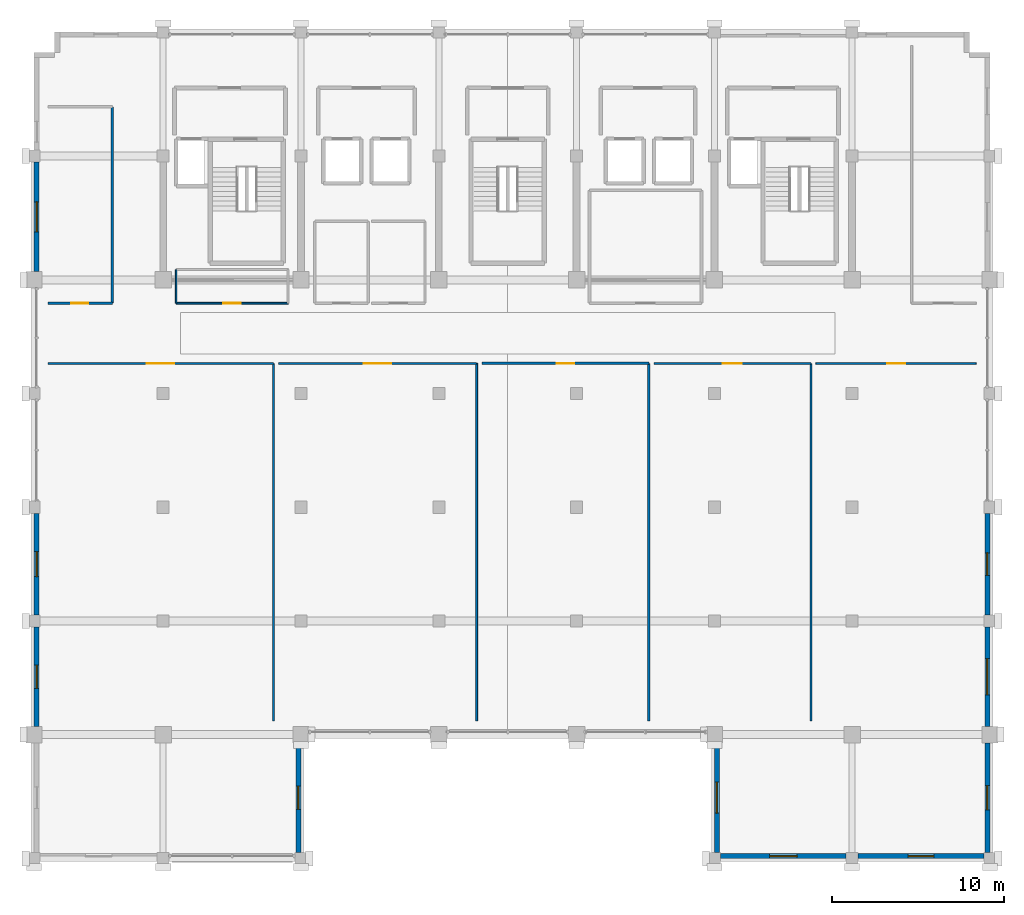
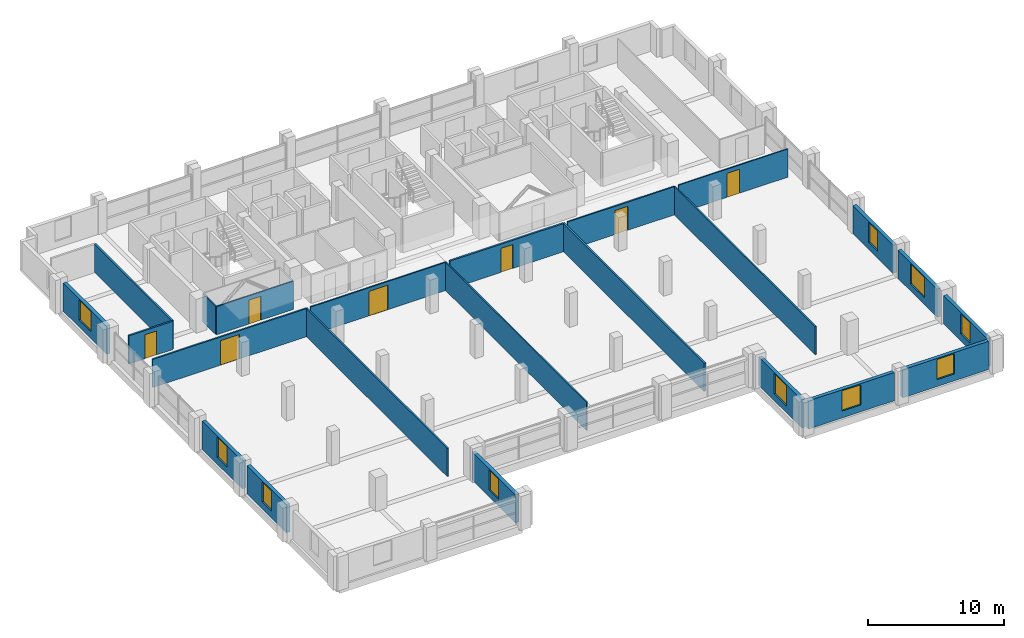
# One storey, part 21 of 25: 23 walls, 10 windows, 7 doors, 17 openings.
"""IFC4 building model written with IfcOpenShell, lengths in metres."""

from ifc_helpers import new_model, si_unit, direction, frame, frame_2d, origin, place, context, subcontext, project, spatial, rectangle, extrude, material, layer, layer_set, type_object, element, fill, save


model = new_model("IFC4")

# Units and contexts
model_context = context("Model", 3, precision=1e-05, world=origin(), true_north=direction((0.0, 1.0)))
body_context = subcontext(model_context, "Body", "Model", "MODEL_VIEW")
ifc_project = project(units=[si_unit("LENGTHUNIT", "METRE"), si_unit("AREAUNIT", "SQUARE_METRE"), si_unit("VOLUMEUNIT", "CUBIC_METRE"), si_unit("PLANEANGLEUNIT", "RADIAN"), si_unit("MASSUNIT", "GRAM", prefix="KILO")], contexts=[model_context])

# Site, building, storey
site_placement = place(None, origin())
site = spatial("IfcSite", under=ifc_project, at=site_placement, CompositionType="ELEMENT")
building_placement = place(site_placement, origin())
building = spatial("IfcBuilding", under=site, at=building_placement, Name="Akrevak Sports Hall", CompositionType="ELEMENT")
storey_placement = place(building_placement, frame((0.0, 0.0, 50.300048828125)))
storey = spatial("IfcBuildingStorey", under=building, at=storey_placement, Name="L12", CompositionType="ELEMENT", Elevation=50.300048828125)

# Wall, opening, window
ifc_material_1 = material(Name="Limestone Ashlar", Category="stone")
ifc_layer_1 = layer(ifc_material_1, 0.06005859375, Name="Limestone Ashlar")
ifc_material_2 = material(Name="Mineral Wool Thermal Insulation", Category="insulation")
ifc_layer_2 = layer(ifc_material_2, 0.090087890625, Name="Mineral Wool Thermal Insulation")
ifc_material_3 = material(Name="Concrete C40/50", Category="concrete")
ifc_layer_3 = layer(ifc_material_3, 0.14990234375, Name="Concrete C40/50")
ifc_layer_set_1 = layer_set([ifc_layer_1, ifc_layer_2, ifc_layer_3], Name="Limestone Ashlar / Mineral Wool Thermal Insulation / Concrete C40/50")
wall_type_1 = type_object("IfcWallType", Name="ARC-WL-EXT-300", PredefinedType="SOLIDWALL", material=ifc_layer_set_1)
wall_1_placement = place(storey_placement, frame((67.85009765625, 21.949951171875, 0.0), z_axis=(0.0, 0.0, 1.0), x_axis=(0.0, 1.0, 0.0)))
wall_1 = element("IfcWall", 1, at=wall_1_placement, inside=storey, type_object=wall_type_1, Name="Tower Stone Facade Wall L12-E03", PredefinedType="SOLIDWALL", context=body_context, shape_type="SweptSolid", body=[
    extrude(rectangle(XDim=6.375, YDim=0.300048828125, at=frame_2d((3.1875, 0.0))), origin(), (0.0, 0.0, 1.0), 2.530029296875),
])
opening_1_placement = place(wall_1_placement, frame((2.512451171875, 0.0, 0.6201171875)))
opening_1 = element("IfcOpeningElement", 2, at=opening_1_placement, cuts=wall_1, Name="Opening WN-19", PredefinedType="OPENING", context=body_context, shape_type="SweptSolid", body=[
    extrude(rectangle(XDim=1.35009765625, YDim=1.800048828125, at=frame_2d((0.675048828125, 0.89990234375))), frame((0.0, 0.162109375, 0.0), z_axis=(0.0, -1.0, 0.0), x_axis=(1.0, 0.0, 0.0)), (0.0, 0.0, 1.0), 0.323974609375),
])
ifc_material_4 = material(Name="Thermally Broken Bronze Frame & Double Low-E Glass", Category="glass")
window_type_1 = type_object("IfcWindowType", Name="ARC-WIN-TW-135x180", PartitioningType="SINGLE_PANEL", PredefinedType="WINDOW", material=ifc_material_4)
window_1_placement = place(opening_1_placement, origin())
window_1 = element("IfcWindow", 3, at=window_1_placement, inside=storey, type_object=window_type_1, Name="Tower Window L12-E03", OverallHeight=1.800048828125, OverallWidth=1.35009765625, PartitioningType="SINGLE_PANEL", PredefinedType="WINDOW", context=body_context, shape_type="SweptSolid", body=[
    extrude(rectangle(XDim=1.35009765625, YDim=1.800048828125, at=frame_2d((0.675048828125, 0.89990234375))), frame((0.0, 0.030029296875, 0.0), z_axis=(0.0, -1.0, 0.0), x_axis=(1.0, 0.0, 0.0)), (0.0, 0.0, 1.0), 0.06005859375),
])
fill(opening_1, window_1)

wall_2_placement = place(storey_placement, frame((92.14990234375, 28.324951171875, 0.0), z_axis=(0.0, 0.0, 1.0), x_axis=(0.0, -1.0, 0.0)))
wall_2 = element("IfcWall", 4, at=wall_2_placement, inside=storey, type_object=wall_type_1, Name="Tower Stone Facade Wall L12-W07", PredefinedType="SOLIDWALL", context=body_context, shape_type="SweptSolid", body=[
    extrude(rectangle(XDim=6.375, YDim=0.300048828125, at=frame_2d((3.1875, 0.0))), origin(), (0.0, 0.0, 1.0), 2.530029296875),
])
opening_2_placement = place(wall_2_placement, frame((2.28759765625, 0.0, 0.6201171875)))
opening_2 = element("IfcOpeningElement", 5, at=opening_2_placement, cuts=wall_2, Name="Opening WN-54", PredefinedType="OPENING", context=body_context, shape_type="SweptSolid", body=[
    extrude(rectangle(XDim=1.800048828125, YDim=1.81005859375, at=frame_2d((0.89990234375, 0.905029296875))), frame((0.0, 0.162109375, 0.0), z_axis=(0.0, -1.0, 0.0), x_axis=(1.0, 0.0, 0.0)), (0.0, 0.0, 1.0), 0.323974609375),
])
window_type_2 = type_object("IfcWindowType", Name="ARC-WIN-SZ-1800x1810", PartitioningType="SINGLE_PANEL", PredefinedType="WINDOW", material=ifc_material_4)
window_2_placement = place(opening_2_placement, origin())
window_2 = element("IfcWindow", 6, at=window_2_placement, inside=storey, type_object=window_type_2, Name="Tower Window L12-W07", OverallHeight=1.81005859375, OverallWidth=1.800048828125, PartitioningType="SINGLE_PANEL", PredefinedType="WINDOW", context=body_context, shape_type="SweptSolid", body=[
    extrude(rectangle(XDim=1.800048828125, YDim=1.81005859375, at=frame_2d((0.89990234375, 0.905029296875))), frame((0.0, 0.030029296875, 0.0), z_axis=(0.0, -1.0, 0.0), x_axis=(1.0, 0.0, 0.0)), (0.0, 0.0, 1.0), 0.06005859375),
])
fill(opening_2, window_2)

wall_3_placement = place(storey_placement, frame((92.35009765625, 21.75, 0.0), z_axis=(0.0, 0.0, 1.0), x_axis=(1.0, 0.0, 0.0)))
wall_3 = element("IfcWall", 7, at=wall_3_placement, inside=storey, type_object=wall_type_1, Name="Tower Stone Facade Wall L12-S08", PredefinedType="SOLIDWALL", context=body_context, shape_type="SweptSolid", body=[
    extrude(rectangle(XDim=7.2998046875, YDim=0.300048828125, at=frame_2d((3.64990234375, 0.0))), origin(), (0.0, 0.0, 1.0), 2.530029296875),
])
opening_3_placement = place(wall_3_placement, frame((2.85009765625, 0.0, 0.6201171875)))
opening_3 = element("IfcOpeningElement", 8, at=opening_3_placement, cuts=wall_3, Name="Opening WN-57", PredefinedType="OPENING", context=body_context, shape_type="SweptSolid", body=[
    extrude(rectangle(XDim=1.60009765625, YDim=1.81005859375, at=frame_2d((0.800048828125, 0.905029296875))), frame((0.0, 0.162109375, 0.0), z_axis=(0.0, -1.0, 0.0), x_axis=(1.0, 0.0, 0.0)), (0.0, 0.0, 1.0), 0.323974609375),
])
window_type_3 = type_object("IfcWindowType", Name="ARC-WIN-SZ-1600x1810", PartitioningType="SINGLE_PANEL", PredefinedType="WINDOW", material=ifc_material_4)
window_3_placement = place(opening_3_placement, origin())
window_3 = element("IfcWindow", 9, at=window_3_placement, inside=storey, type_object=window_type_3, Name="Tower Window L12-S08", OverallHeight=1.81005859375, OverallWidth=1.60009765625, PartitioningType="SINGLE_PANEL", PredefinedType="WINDOW", context=body_context, shape_type="SweptSolid", body=[
    extrude(rectangle(XDim=1.60009765625, YDim=1.81005859375, at=frame_2d((0.800048828125, 0.905029296875))), frame((0.0, 0.030029296875, 0.0), z_axis=(0.0, -1.0, 0.0), x_axis=(1.0, 0.0, 0.0)), (0.0, 0.0, 1.0), 0.06005859375),
])
fill(opening_3, window_3)

wall_4_placement = place(storey_placement, frame((100.35009765625, 21.75, 0.0), z_axis=(0.0, 0.0, 1.0), x_axis=(1.0, 0.0, 0.0)))
wall_4 = element("IfcWall", 10, at=wall_4_placement, inside=storey, type_object=wall_type_1, Name="Tower Stone Facade Wall L12-S09", PredefinedType="SOLIDWALL", context=body_context, shape_type="SweptSolid", body=[
    extrude(rectangle(XDim=7.2998046875, YDim=0.300048828125, at=frame_2d((3.64990234375, 0.0))), origin(), (0.0, 0.0, 1.0), 2.530029296875),
])
opening_4_placement = place(wall_4_placement, frame((2.89990234375, 0.0, 0.6201171875)))
opening_4 = element("IfcOpeningElement", 11, at=opening_4_placement, cuts=wall_4, Name="Opening WN-48", PredefinedType="OPENING", context=body_context, shape_type="SweptSolid", body=[
    extrude(rectangle(XDim=1.5, YDim=1.81005859375, at=frame_2d((0.75, 0.905029296875))), frame((0.0, 0.162109375, 0.0), z_axis=(0.0, -1.0, 0.0), x_axis=(1.0, 0.0, 0.0)), (0.0, 0.0, 1.0), 0.323974609375),
])
window_type_4 = type_object("IfcWindowType", Name="ARC-WIN-SZ-1500x1810", PartitioningType="SINGLE_PANEL", PredefinedType="WINDOW", material=ifc_material_4)
window_4_placement = place(opening_4_placement, origin())
window_4 = element("IfcWindow", 12, at=window_4_placement, inside=storey, type_object=window_type_4, Name="Tower Window L12-S09", OverallHeight=1.81005859375, OverallWidth=1.5, PartitioningType="SINGLE_PANEL", PredefinedType="WINDOW", context=body_context, shape_type="SweptSolid", body=[
    extrude(rectangle(XDim=1.5, YDim=1.81005859375, at=frame_2d((0.75, 0.905029296875))), frame((0.0, 0.030029296875, 0.0), z_axis=(0.0, -1.0, 0.0), x_axis=(1.0, 0.0, 0.0)), (0.0, 0.0, 1.0), 0.06005859375),
])
fill(opening_4, window_4)

wall_5_placement = place(storey_placement, frame((107.85009765625, 21.949951171875, 0.0), z_axis=(0.0, 0.0, 1.0), x_axis=(0.0, 1.0, 0.0)))
wall_5 = element("IfcWall", 13, at=wall_5_placement, inside=storey, type_object=wall_type_1, Name="Tower Stone Facade Wall L12-E10", PredefinedType="SOLIDWALL", context=body_context, shape_type="SweptSolid", body=[
    extrude(rectangle(XDim=6.375, YDim=0.300048828125, at=frame_2d((3.1875, 0.0))), origin(), (0.0, 0.0, 1.0), 2.530029296875),
])
opening_5_placement = place(wall_5_placement, frame((2.487548828125, 0.0, 0.6201171875)))
opening_5 = element("IfcOpeningElement", 14, at=opening_5_placement, cuts=wall_5, Name="Opening WN-49", PredefinedType="OPENING", context=body_context, shape_type="SweptSolid", body=[
    extrude(rectangle(XDim=1.39990234375, YDim=1.81005859375, at=frame_2d((0.699951171875, 0.905029296875))), frame((0.0, 0.162109375, 0.0), z_axis=(0.0, -1.0, 0.0), x_axis=(1.0, 0.0, 0.0)), (0.0, 0.0, 1.0), 0.323974609375),
])
window_type_5 = type_object("IfcWindowType", Name="ARC-WIN-SZ-1400x1810", PartitioningType="SINGLE_PANEL", PredefinedType="WINDOW", material=ifc_material_4)
window_5_placement = place(opening_5_placement, origin())
window_5 = element("IfcWindow", 15, at=window_5_placement, inside=storey, type_object=window_type_5, Name="Tower Window L12-E10", OverallHeight=1.81005859375, OverallWidth=1.39990234375, PartitioningType="SINGLE_PANEL", PredefinedType="WINDOW", context=body_context, shape_type="SweptSolid", body=[
    extrude(rectangle(XDim=1.39990234375, YDim=1.81005859375, at=frame_2d((0.699951171875, 0.905029296875))), frame((0.0, 0.030029296875, 0.0), z_axis=(0.0, -1.0, 0.0), x_axis=(1.0, 0.0, 0.0)), (0.0, 0.0, 1.0), 0.06005859375),
])
fill(opening_5, window_5)

wall_6_placement = place(storey_placement, frame((107.85009765625, 29.27490234375, 0.0), z_axis=(0.0, 0.0, 1.0), x_axis=(0.0, 1.0, 0.0)))
wall_6 = element("IfcWall", 16, at=wall_6_placement, inside=storey, type_object=wall_type_1, Name="Tower Stone Facade Wall L12-E11", PredefinedType="SOLIDWALL", context=body_context, shape_type="SweptSolid", body=[
    extrude(rectangle(XDim=5.775146484375, YDim=0.300048828125, at=frame_2d((2.8876953125, 0.0))), origin(), (0.0, 0.0, 1.0), 2.530029296875),
])
opening_6_placement = place(wall_6_placement, frame((1.83740234375, 0.0, 0.6201171875)))
opening_6 = element("IfcOpeningElement", 17, at=opening_6_placement, cuts=wall_6, Name="Opening WN-55", PredefinedType="OPENING", context=body_context, shape_type="SweptSolid", body=[
    extrude(rectangle(XDim=2.10009765625, YDim=1.81005859375, at=frame_2d((1.050048828125, 0.905029296875))), frame((0.0, 0.162109375, 0.0), z_axis=(0.0, -1.0, 0.0), x_axis=(1.0, 0.0, 0.0)), (0.0, 0.0, 1.0), 0.323974609375),
])
window_type_6 = type_object("IfcWindowType", Name="ARC-WIN-SZ-2100x1810", PartitioningType="SINGLE_PANEL", PredefinedType="WINDOW", material=ifc_material_4)
window_6_placement = place(opening_6_placement, origin())
window_6 = element("IfcWindow", 18, at=window_6_placement, inside=storey, type_object=window_type_6, Name="Tower Window L12-E11", OverallHeight=1.81005859375, OverallWidth=2.10009765625, PartitioningType="SINGLE_PANEL", PredefinedType="WINDOW", context=body_context, shape_type="SweptSolid", body=[
    extrude(rectangle(XDim=2.10009765625, YDim=1.81005859375, at=frame_2d((1.050048828125, 0.905029296875))), frame((0.0, 0.030029296875, 0.0), z_axis=(0.0, -1.0, 0.0), x_axis=(1.0, 0.0, 0.0)), (0.0, 0.0, 1.0), 0.06005859375),
])
fill(opening_6, window_6)

wall_7_placement = place(storey_placement, frame((107.85009765625, 35.75, 0.0), z_axis=(0.0, 0.0, 1.0), x_axis=(0.0, 1.0, 0.0)))
wall_7 = element("IfcWall", 19, at=wall_7_placement, inside=storey, type_object=wall_type_1, Name="Tower Stone Facade Wall L12-E12", PredefinedType="SOLIDWALL", context=body_context, shape_type="SweptSolid", body=[
    extrude(rectangle(XDim=5.89990234375, YDim=0.300048828125, at=frame_2d((2.949951171875, 0.0))), origin(), (0.0, 0.0, 1.0), 2.530029296875),
])
opening_7_placement = place(wall_7_placement, frame((2.300048828125, 0.0, 0.6201171875)))
opening_7 = element("IfcOpeningElement", 20, at=opening_7_placement, cuts=wall_7, Name="Opening WN-12", PredefinedType="OPENING", context=body_context, shape_type="SweptSolid", body=[
    extrude(rectangle(XDim=1.300048828125, YDim=1.800048828125, at=frame_2d((0.64990234375, 0.89990234375))), frame((0.0, 0.162109375, 0.0), z_axis=(0.0, -1.0, 0.0), x_axis=(1.0, 0.0, 0.0)), (0.0, 0.0, 1.0), 0.323974609375),
])
window_type_7 = type_object("IfcWindowType", Name="ARC-WIN-TW-130x180", PartitioningType="SINGLE_PANEL", PredefinedType="WINDOW", material=ifc_material_4)
window_7_placement = place(opening_7_placement, origin())
window_7 = element("IfcWindow", 21, at=window_7_placement, inside=storey, type_object=window_type_7, Name="Tower Window L12-E12", OverallHeight=1.800048828125, OverallWidth=1.300048828125, PartitioningType="SINGLE_PANEL", PredefinedType="WINDOW", context=body_context, shape_type="SweptSolid", body=[
    extrude(rectangle(XDim=1.300048828125, YDim=1.800048828125, at=frame_2d((0.64990234375, 0.89990234375))), frame((0.0, 0.030029296875, 0.0), z_axis=(0.0, -1.0, 0.0), x_axis=(1.0, 0.0, 0.0)), (0.0, 0.0, 1.0), 0.06005859375),
])
fill(opening_7, window_7)

wall_8_placement = place(storey_placement, frame((52.64990234375, 62.050048828125, 0.0), z_axis=(0.0, 0.0, 1.0), x_axis=(0.0, -1.0, 0.0)))
wall_8 = element("IfcWall", 22, at=wall_8_placement, inside=storey, type_object=wall_type_1, Name="Tower Stone Facade Wall L12-W29", PredefinedType="SOLIDWALL", context=body_context, shape_type="SweptSolid", body=[
    extrude(rectangle(XDim=6.375, YDim=0.300048828125, at=frame_2d((3.1875, 0.0))), origin(), (0.0, 0.0, 1.0), 2.530029296875),
])
opening_8_placement = place(wall_8_placement, frame((2.3125, 0.0, 0.6201171875)))
opening_8 = element("IfcOpeningElement", 23, at=opening_8_placement, cuts=wall_8, Name="Opening WN-56", PredefinedType="OPENING", context=body_context, shape_type="SweptSolid", body=[
    extrude(rectangle(XDim=1.75, YDim=1.81005859375, at=frame_2d((0.875, 0.905029296875))), frame((0.0, 0.162109375, 0.0), z_axis=(0.0, -1.0, 0.0), x_axis=(1.0, 0.0, 0.0)), (0.0, 0.0, 1.0), 0.323974609375),
])
window_type_8 = type_object("IfcWindowType", Name="ARC-WIN-SZ-1750x1810", PartitioningType="SINGLE_PANEL", PredefinedType="WINDOW", material=ifc_material_4)
window_8_placement = place(opening_8_placement, origin())
window_8 = element("IfcWindow", 24, at=window_8_placement, inside=storey, type_object=window_type_8, Name="Tower Window L12-W29", OverallHeight=1.81005859375, OverallWidth=1.75, PartitioningType="SINGLE_PANEL", PredefinedType="WINDOW", context=body_context, shape_type="SweptSolid", body=[
    extrude(rectangle(XDim=1.75, YDim=1.81005859375, at=frame_2d((0.875, 0.905029296875))), frame((0.0, 0.030029296875, 0.0), z_axis=(0.0, -1.0, 0.0), x_axis=(1.0, 0.0, 0.0)), (0.0, 0.0, 1.0), 0.06005859375),
])
fill(opening_8, window_8)

wall_9_placement = place(storey_placement, frame((52.64990234375, 41.64990234375, 0.0), z_axis=(0.0, 0.0, 1.0), x_axis=(0.0, -1.0, 0.0)))
wall_9 = element("IfcWall", 25, at=wall_9_placement, inside=storey, type_object=wall_type_1, Name="Tower Stone Facade Wall L12-W32", PredefinedType="SOLIDWALL", context=body_context, shape_type="SweptSolid", body=[
    extrude(rectangle(XDim=5.89990234375, YDim=0.300048828125, at=frame_2d((2.949951171875, 0.0))), origin(), (0.0, 0.0, 1.0), 2.530029296875),
])
opening_9_placement = place(wall_9_placement, frame((2.22509765625, 0.0, 0.6201171875)))
opening_9 = element("IfcOpeningElement", 26, at=opening_9_placement, cuts=wall_9, Name="Opening WN-51", PredefinedType="OPENING", context=body_context, shape_type="SweptSolid", body=[
    extrude(rectangle(XDim=1.449951171875, YDim=1.81005859375, at=frame_2d((0.72509765625, 0.905029296875))), frame((0.0, 0.162109375, 0.0), z_axis=(0.0, -1.0, 0.0), x_axis=(1.0, 0.0, 0.0)), (0.0, 0.0, 1.0), 0.323974609375),
])
window_type_9 = type_object("IfcWindowType", Name="ARC-WIN-SZ-1450x1810", PartitioningType="SINGLE_PANEL", PredefinedType="WINDOW", material=ifc_material_4)
window_9_placement = place(opening_9_placement, origin())
window_9 = element("IfcWindow", 27, at=window_9_placement, inside=storey, type_object=window_type_9, Name="Tower Window L12-W32", OverallHeight=1.81005859375, OverallWidth=1.449951171875, PartitioningType="SINGLE_PANEL", PredefinedType="WINDOW", context=body_context, shape_type="SweptSolid", body=[
    extrude(rectangle(XDim=1.449951171875, YDim=1.81005859375, at=frame_2d((0.72509765625, 0.905029296875))), frame((0.0, 0.030029296875, 0.0), z_axis=(0.0, -1.0, 0.0), x_axis=(1.0, 0.0, 0.0)), (0.0, 0.0, 1.0), 0.06005859375),
])
fill(opening_9, window_9)

wall_10_placement = place(storey_placement, frame((52.64990234375, 35.050048828125, 0.0), z_axis=(0.0, 0.0, 1.0), x_axis=(0.0, -1.0, 0.0)))
wall_10 = element("IfcWall", 28, at=wall_10_placement, inside=storey, type_object=wall_type_1, Name="Tower Stone Facade Wall L12-W33", PredefinedType="SOLIDWALL", context=body_context, shape_type="SweptSolid", body=[
    extrude(rectangle(XDim=5.775146484375, YDim=0.300048828125, at=frame_2d((2.8876953125, 0.0))), origin(), (0.0, 0.0, 1.0), 2.530029296875),
])
opening_10_placement = place(wall_10_placement, frame((2.21240234375, 0.0, 0.6201171875)))
opening_10 = element("IfcOpeningElement", 29, at=opening_10_placement, cuts=wall_10, Name="Opening WN-19", PredefinedType="OPENING", context=body_context, shape_type="SweptSolid", body=[
    extrude(rectangle(XDim=1.35009765625, YDim=1.800048828125, at=frame_2d((0.675048828125, 0.89990234375))), frame((0.0, 0.162109375, 0.0), z_axis=(0.0, -1.0, 0.0), x_axis=(1.0, 0.0, 0.0)), (0.0, 0.0, 1.0), 0.323974609375),
])
window_10_placement = place(opening_10_placement, origin())
window_10 = element("IfcWindow", 30, at=window_10_placement, inside=storey, type_object=window_type_1, Name="Tower Window L12-W33", OverallHeight=1.800048828125, OverallWidth=1.35009765625, PartitioningType="SINGLE_PANEL", PredefinedType="WINDOW", context=body_context, shape_type="SweptSolid", body=[
    extrude(rectangle(XDim=1.35009765625, YDim=1.800048828125, at=frame_2d((0.675048828125, 0.89990234375))), frame((0.0, 0.030029296875, 0.0), z_axis=(0.0, -1.0, 0.0), x_axis=(1.0, 0.0, 0.0)), (0.0, 0.0, 1.0), 0.06005859375),
])
fill(opening_10, window_10)

# Wall, opening, door
ifc_material_5 = material(Name="Sanitary Cubicle Partition", Category="gypsum")
ifc_layer_4 = layer(ifc_material_5, 0.10009765625, Name="Sanitary Cubicle Partition")
ifc_layer_set_2 = layer_set([ifc_layer_4], Name="Sanitary Cubicle Partition")
wall_type_2 = type_object("IfcWallType", Name="ARC-WL-PRT-100", PredefinedType="PARTITIONING", material=ifc_layer_set_2)
wall_11_placement = place(storey_placement, frame((97.89990234375, 50.35009765625, 0.0), z_axis=(0.0, 0.0, 1.0), x_axis=(1.0, 0.0, 0.0)))
wall_11 = element("IfcWall", 31, at=wall_11_placement, inside=storey, type_object=wall_type_2, Name="Interior Partition National Gymnastics Federation Office (L12) (N)", PredefinedType="PARTITIONING", context=body_context, shape_type="SweptSolid", body=[
    extrude(rectangle(XDim=9.300048828125, YDim=0.10009765625, at=frame_2d((4.64990234375, 0.0))), origin(), (0.0, 0.0, 1.0), 2.530029296875),
])
opening_11_placement = place(wall_11_placement, frame((4.125, 0.0, 0.0)))
opening_11 = element("IfcOpeningElement", 32, at=opening_11_placement, cuts=wall_11, Name="Opening ID-05", PredefinedType="OPENING", context=body_context, shape_type="SweptSolid", body=[
    extrude(rectangle(XDim=1.050048828125, YDim=2.14990234375, at=frame_2d((0.52490234375, 1.074951171875))), frame((0.0, 0.06201171875, 0.0), z_axis=(0.0, -1.0, 0.0), x_axis=(1.0, 0.0, 0.0)), (0.0, 0.0, 1.0), 0.1240234375),
])
ifc_material_6 = material(Name="Hardwood Oak Acoustic Leaf", Category="wood")
door_type_1 = type_object("IfcDoorType", Name="ARC-DR-OFF-105x215", OperationType="NOTDEFINED", PredefinedType="DOOR", material=ifc_material_6)
door_1_placement = place(opening_11_placement, origin())
door_1 = element("IfcDoor", 33, at=door_1_placement, inside=storey, type_object=door_type_1, Name="Door to National Gymnastics Federation Office (L12)", OperationType="SINGLE_SWING_LEFT", OverallHeight=2.14990234375, OverallWidth=1.050048828125, PredefinedType="DOOR", context=body_context, shape_type="SweptSolid", body=[
    extrude(rectangle(XDim=1.050048828125, YDim=2.14990234375, at=frame_2d((0.52490234375, 1.074951171875))), frame((0.0, 0.02490234375, 0.0), z_axis=(0.0, -1.0, 0.0), x_axis=(1.0, 0.0, 0.0)), (0.0, 0.0, 1.0), 0.050048828125),
])
fill(opening_11, door_1)

wall_12_placement = place(storey_placement, frame((60.75, 53.85009765625, 0.0), z_axis=(0.0, 0.0, 1.0), x_axis=(1.0, 0.0, 0.0)))
wall_12 = element("IfcWall", 34, at=wall_12_placement, inside=storey, type_object=wall_type_2, Name="Interior Partition Federation Technical Office L12-CW (S)", PredefinedType="PARTITIONING", context=body_context, shape_type="SweptSolid", body=[
    extrude(rectangle(XDim=6.5, YDim=0.10009765625, at=frame_2d((3.25, 0.0))), origin(), (0.0, 0.0, 1.0), 2.530029296875),
])
opening_12_placement = place(wall_12_placement, frame((2.75, 0.0, 0.0)))
opening_12 = element("IfcOpeningElement", 35, at=opening_12_placement, cuts=wall_12, Name="Opening ID-06", PredefinedType="OPENING", context=body_context, shape_type="SweptSolid", body=[
    extrude(rectangle(XDim=1.0, YDim=2.14990234375, at=frame_2d((0.5, 1.074951171875))), frame((0.0, 0.06201171875, 0.0), z_axis=(0.0, -1.0, 0.0), x_axis=(1.0, 0.0, 0.0)), (0.0, 0.0, 1.0), 0.1240234375),
])
door_type_2 = type_object("IfcDoorType", Name="ARC-DR-OFF-100x215", OperationType="NOTDEFINED", PredefinedType="DOOR", material=ifc_material_6)
door_2_placement = place(opening_12_placement, origin())
door_2 = element("IfcDoor", 36, at=door_2_placement, inside=storey, type_object=door_type_2, Name="Door to Federation Technical Office L12-CW", OperationType="SINGLE_SWING_LEFT", OverallHeight=2.14990234375, OverallWidth=1.0, PredefinedType="DOOR", context=body_context, shape_type="SweptSolid", body=[
    extrude(rectangle(XDim=1.0, YDim=2.14990234375, at=frame_2d((0.5, 1.074951171875))), frame((0.0, 0.02490234375, 0.0), z_axis=(0.0, -1.0, 0.0), x_axis=(1.0, 0.0, 0.0)), (0.0, 0.0, 1.0), 0.050048828125),
])
fill(opening_12, door_2)

# Wall
wall_13_placement = place(storey_placement, frame((60.75, 53.85009765625, 0.0), z_axis=(0.0, 0.0, 1.0), x_axis=(0.0, 1.0, 0.0)))
element("IfcWall", 37, at=wall_13_placement, inside=storey, type_object=wall_type_2, Name="Interior Partition Federation Technical Office L12-CW (W)", PredefinedType="PARTITIONING", context=body_context, shape_type="SweptSolid", body=[
    extrude(rectangle(XDim=1.949951171875, YDim=0.10009765625, at=frame_2d((0.97509765625, 0.0))), origin(), (0.0, 0.0, 1.0), 2.530029296875),
])

# Wall, opening, door
ifc_material_7 = material(Name="Lightweight Office Partition", Category="gypsum")
ifc_layer_5 = layer(ifc_material_7, 0.110107421875, Name="Lightweight Office Partition")
ifc_layer_set_3 = layer_set([ifc_layer_5], Name="Lightweight Office Partition")
wall_type_3 = type_object("IfcWallType", Name="ARC-WL-PRT-110", PredefinedType="PARTITIONING", material=ifc_layer_set_3)
wall_14_placement = place(storey_placement, frame((66.699951171875, 50.35009765625, 0.0), z_axis=(0.0, 0.0, 1.0), x_axis=(1.0, 0.0, 0.0)))
wall_14 = element("IfcWall", 38, at=wall_14_placement, inside=storey, type_object=wall_type_3, Name="Interior Partition Media Briefing & Press Hall (L12) (N)", PredefinedType="PARTITIONING", context=body_context, shape_type="SweptSolid", body=[
    extrude(rectangle(XDim=11.5, YDim=0.110107421875, at=frame_2d((5.75, 0.0))), origin(), (0.0, 0.0, 1.0), 2.530029296875),
])
opening_13_placement = place(wall_14_placement, frame((4.949951171875, 0.0, 0.0)))
opening_13 = element("IfcOpeningElement", 39, at=opening_13_placement, cuts=wall_14, Name="Opening ID-03", PredefinedType="OPENING", context=body_context, shape_type="SweptSolid", body=[
    extrude(rectangle(XDim=1.60009765625, YDim=2.199951171875, at=frame_2d((0.800048828125, 1.10009765625))), frame((0.0, 0.06689453125, 0.0), z_axis=(0.0, -1.0, 0.0), x_axis=(1.0, 0.0, 0.0)), (0.0, 0.0, 1.0), 0.134033203125),
])
ifc_material_8 = material(Name="Hardwood Oak & Safety Glass", Category="wood")
door_type_3 = type_object("IfcDoorType", Name="ARC-DR-HALL-160x220", OperationType="DOUBLE_DOOR_SINGLE_SWING", PredefinedType="DOOR", material=ifc_material_8)
door_3_placement = place(opening_13_placement, origin())
door_3 = element("IfcDoor", 40, at=door_3_placement, inside=storey, type_object=door_type_3, Name="Door to Media Briefing & Press Hall (L12)", OperationType="DOUBLE_DOOR_SINGLE_SWING", OverallHeight=2.199951171875, OverallWidth=1.60009765625, PredefinedType="DOOR", context=body_context, shape_type="SweptSolid", body=[
    extrude(rectangle(XDim=1.60009765625, YDim=2.199951171875, at=frame_2d((0.800048828125, 1.10009765625))), frame((0.0, 0.02490234375, 0.0), z_axis=(0.0, -1.0, 0.0), x_axis=(1.0, 0.0, 0.0)), (0.0, 0.0, 1.0), 0.050048828125),
])
fill(opening_13, door_3)

# Wall
wall_15_placement = place(storey_placement, frame((78.199951171875, 29.60009765625, 0.0), z_axis=(0.0, 0.0, 1.0), x_axis=(0.0, 1.0, 0.0)))
element("IfcWall", 41, at=wall_15_placement, inside=storey, type_object=wall_type_3, Name="Interior Partition Media Briefing & Press Hall (L12) (E)", PredefinedType="PARTITIONING", context=body_context, shape_type="SweptSolid", body=[
    extrude(rectangle(XDim=20.75, YDim=0.110107421875, at=frame_2d((10.375, 0.0))), origin(), (0.0, 0.0, 1.0), 2.530029296875),
])

# Wall, opening, door
ifc_material_9 = material(Name="Standard Metal Stud Partition", Category="gypsum")
ifc_layer_6 = layer(ifc_material_9, 0.1201171875, Name="Standard Metal Stud Partition")
ifc_layer_set_4 = layer_set([ifc_layer_6], Name="Standard Metal Stud Partition")
wall_type_4 = type_object("IfcWallType", Name="ARC-WL-PRT-120", PredefinedType="PARTITIONING", material=ifc_layer_set_4)
wall_16_placement = place(storey_placement, frame((88.5, 50.35009765625, 0.0), z_axis=(0.0, 0.0, 1.0), x_axis=(1.0, 0.0, 0.0)))
wall_16 = element("IfcWall", 42, at=wall_16_placement, inside=storey, type_object=wall_type_4, Name="Interior Partition Digital Archive & Telemetry Lab (L12) (N)", PredefinedType="PARTITIONING", context=body_context, shape_type="SweptSolid", body=[
    extrude(rectangle(XDim=9.10009765625, YDim=0.1201171875, at=frame_2d((4.550048828125, 0.0))), origin(), (0.0, 0.0, 1.0), 2.530029296875),
])
opening_14_placement = place(wall_16_placement, frame((4.0, 0.0, 0.0)))
opening_14 = element("IfcOpeningElement", 43, at=opening_14_placement, cuts=wall_16, Name="Opening ID-04", PredefinedType="OPENING", context=body_context, shape_type="SweptSolid", body=[
    extrude(rectangle(XDim=1.10009765625, YDim=2.14990234375, at=frame_2d((0.550048828125, 1.074951171875))), frame((0.0, 0.072021484375, 0.0), z_axis=(0.0, -1.0, 0.0), x_axis=(1.0, 0.0, 0.0)), (0.0, 0.0, 1.0), 0.14404296875),
])
door_type_4 = type_object("IfcDoorType", Name="ARC-DR-OFF-110x215", OperationType="NOTDEFINED", PredefinedType="DOOR", material=ifc_material_6)
door_4_placement = place(opening_14_placement, frame((1.10009765625, 0.0, 0.0), z_axis=(0.0, 0.0, 1.0), x_axis=(-1.0, 0.0, 0.0)))
door_4 = element("IfcDoor", 44, at=door_4_placement, inside=storey, type_object=door_type_4, Name="Door to Digital Archive & Telemetry Lab (L12)", OperationType="SINGLE_SWING_RIGHT", OverallHeight=2.14990234375, OverallWidth=1.10009765625, PredefinedType="DOOR", context=body_context, shape_type="SweptSolid", body=[
    extrude(rectangle(XDim=1.10009765625, YDim=2.14990234375, at=frame_2d((0.550048828125, 1.074951171875))), frame((0.0, 0.02490234375, 0.0), z_axis=(0.0, -1.0, 0.0), x_axis=(1.0, 0.0, 0.0)), (0.0, 0.0, 1.0), 0.050048828125),
])
fill(opening_14, door_4)

# Wall
wall_17_placement = place(storey_placement, frame((97.60009765625, 29.60009765625, 0.0), z_axis=(0.0, 0.0, 1.0), x_axis=(0.0, 1.0, 0.0)))
element("IfcWall", 45, at=wall_17_placement, inside=storey, type_object=wall_type_4, Name="Interior Partition Digital Archive & Telemetry Lab (L12) (E)", PredefinedType="PARTITIONING", context=body_context, shape_type="SweptSolid", body=[
    extrude(rectangle(XDim=20.75, YDim=0.1201171875, at=frame_2d((10.375, 0.0))), origin(), (0.0, 0.0, 1.0), 2.530029296875),
])

# Wall, opening, door
ifc_material_10 = material(Name="Acoustic Metal Stud Partition", Category="gypsum")
ifc_layer_7 = layer(ifc_material_10, 0.1298828125, Name="Acoustic Metal Stud Partition")
ifc_layer_set_5 = layer_set([ifc_layer_7], Name="Acoustic Metal Stud Partition")
wall_type_5 = type_object("IfcWallType", Name="ARC-WL-PRT-130", PredefinedType="PARTITIONING", material=ifc_layer_set_5)
wall_18_placement = place(storey_placement, frame((53.300048828125, 50.35009765625, 0.0), z_axis=(0.0, 0.0, 1.0), x_axis=(1.0, 0.0, 0.0)))
wall_18 = element("IfcWall", 46, at=wall_18_placement, inside=storey, type_object=wall_type_5, Name="Interior Partition Sports Broadcast Production Studio (L12) (N)", PredefinedType="PARTITIONING", context=body_context, shape_type="SweptSolid", body=[
    extrude(rectangle(XDim=13.099853515625, YDim=0.1298828125, at=frame_2d((6.5498046875, 0.0))), origin(), (0.0, 0.0, 1.0), 2.530029296875),
])
opening_15_placement = place(wall_18_placement, frame((5.75, 0.0, 0.0)))
opening_15 = element("IfcOpeningElement", 47, at=opening_15_placement, cuts=wall_18, Name="Opening ID-03", PredefinedType="OPENING", context=body_context, shape_type="SweptSolid", body=[
    extrude(rectangle(XDim=1.60009765625, YDim=2.199951171875, at=frame_2d((0.800048828125, 1.10009765625))), frame((0.0, 0.076904296875, 0.0), z_axis=(0.0, -1.0, 0.0), x_axis=(1.0, 0.0, 0.0)), (0.0, 0.0, 1.0), 0.15380859375),
])
door_5_placement = place(opening_15_placement, origin())
door_5 = element("IfcDoor", 48, at=door_5_placement, inside=storey, type_object=door_type_3, Name="Door to Sports Broadcast Production Studio (L12)", OperationType="DOUBLE_DOOR_SINGLE_SWING", OverallHeight=2.199951171875, OverallWidth=1.60009765625, PredefinedType="DOOR", context=body_context, shape_type="SweptSolid", body=[
    extrude(rectangle(XDim=1.60009765625, YDim=2.199951171875, at=frame_2d((0.800048828125, 1.10009765625))), frame((0.0, 0.02490234375, 0.0), z_axis=(0.0, -1.0, 0.0), x_axis=(1.0, 0.0, 0.0)), (0.0, 0.0, 1.0), 0.050048828125),
])
fill(opening_15, door_5)

# Wall
wall_19_placement = place(storey_placement, frame((66.39990234375, 29.60009765625, 0.0), z_axis=(0.0, 0.0, 1.0), x_axis=(0.0, 1.0, 0.0)))
element("IfcWall", 49, at=wall_19_placement, inside=storey, type_object=wall_type_5, Name="Interior Partition Sports Broadcast Production Studio (L12) (E)", PredefinedType="PARTITIONING", context=body_context, shape_type="SweptSolid", body=[
    extrude(rectangle(XDim=20.75, YDim=0.1298828125, at=frame_2d((10.375, 0.0))), origin(), (0.0, 0.0, 1.0), 2.530029296875),
])

# Wall, opening, door
ifc_material_11 = material(Name="Double Stud Acoustic Gypsum Partition", Category="gypsum")
ifc_layer_8 = layer(ifc_material_11, 0.14990234375, Name="Double Stud Acoustic Gypsum Partition")
ifc_layer_set_6 = layer_set([ifc_layer_8], Name="Double Stud Acoustic Gypsum Partition")
wall_type_6 = type_object("IfcWallType", Name="ARC-WL-PRT-150", PredefinedType="PARTITIONING", material=ifc_layer_set_6)
wall_20_placement = place(storey_placement, frame((78.5, 50.35009765625, 0.0), z_axis=(0.0, 0.0, 1.0), x_axis=(1.0, 0.0, 0.0)))
wall_20 = element("IfcWall", 50, at=wall_20_placement, inside=storey, type_object=wall_type_6, Name="Interior Partition Commentary & Editorial Office (L12) (N)", PredefinedType="PARTITIONING", context=body_context, shape_type="SweptSolid", body=[
    extrude(rectangle(XDim=9.699951171875, YDim=0.14990234375, at=frame_2d((4.85009765625, 0.0))), origin(), (0.0, 0.0, 1.0), 2.530029296875),
])
opening_16_placement = place(wall_20_placement, frame((4.35009765625, 0.0, 0.0)))
opening_16 = element("IfcOpeningElement", 51, at=opening_16_placement, cuts=wall_20, Name="Opening ID-06", PredefinedType="OPENING", context=body_context, shape_type="SweptSolid", body=[
    extrude(rectangle(XDim=1.0, YDim=2.14990234375, at=frame_2d((0.5, 1.074951171875))), frame((0.0, 0.0869140625, 0.0), z_axis=(0.0, -1.0, 0.0), x_axis=(1.0, 0.0, 0.0)), (0.0, 0.0, 1.0), 0.173828125),
])
door_6_placement = place(opening_16_placement, origin())
door_6 = element("IfcDoor", 52, at=door_6_placement, inside=storey, type_object=door_type_2, Name="Door to Commentary & Editorial Office (L12)", OperationType="SINGLE_SWING_LEFT", OverallHeight=2.14990234375, OverallWidth=1.0, PredefinedType="DOOR", context=body_context, shape_type="SweptSolid", body=[
    extrude(rectangle(XDim=1.0, YDim=2.14990234375, at=frame_2d((0.5, 1.074951171875))), frame((0.0, 0.02490234375, 0.0), z_axis=(0.0, -1.0, 0.0), x_axis=(1.0, 0.0, 0.0)), (0.0, 0.0, 1.0), 0.050048828125),
])
fill(opening_16, door_6)

# Wall
wall_21_placement = place(storey_placement, frame((88.199951171875, 29.60009765625, 0.0), z_axis=(0.0, 0.0, 1.0), x_axis=(0.0, 1.0, 0.0)))
element("IfcWall", 53, at=wall_21_placement, inside=storey, type_object=wall_type_6, Name="Interior Partition Commentary & Editorial Office (L12) (E)", PredefinedType="PARTITIONING", context=body_context, shape_type="SweptSolid", body=[
    extrude(rectangle(XDim=20.75, YDim=0.14990234375, at=frame_2d((10.375, 0.0))), origin(), (0.0, 0.0, 1.0), 2.530029296875),
])

# Wall, opening, door
wall_22_placement = place(storey_placement, frame((53.300048828125, 53.85009765625, 0.0), z_axis=(0.0, 0.0, 1.0), x_axis=(1.0, 0.0, 0.0)))
wall_22 = element("IfcWall", 54, at=wall_22_placement, inside=storey, type_object=wall_type_6, Name="Interior Partition Federation Research Office L12-W1 (S)", PredefinedType="PARTITIONING", context=body_context, shape_type="SweptSolid", body=[
    extrude(rectangle(XDim=3.75, YDim=0.14990234375, at=frame_2d((1.875, 0.0))), origin(), (0.0, 0.0, 1.0), 2.530029296875),
])
opening_17_placement = place(wall_22_placement, frame((1.35009765625, 0.0, 0.0)))
opening_17 = element("IfcOpeningElement", 55, at=opening_17_placement, cuts=wall_22, Name="Opening ID-06", PredefinedType="OPENING", context=body_context, shape_type="SweptSolid", body=[
    extrude(rectangle(XDim=1.0, YDim=2.14990234375, at=frame_2d((0.5, 1.074951171875))), frame((0.0, 0.0869140625, 0.0), z_axis=(0.0, -1.0, 0.0), x_axis=(1.0, 0.0, 0.0)), (0.0, 0.0, 1.0), 0.173828125),
])
door_7_placement = place(opening_17_placement, frame((1.0, 0.0, 0.0), z_axis=(0.0, 0.0, 1.0), x_axis=(-1.0, 0.0, 0.0)))
door_7 = element("IfcDoor", 56, at=door_7_placement, inside=storey, type_object=door_type_2, Name="Door to Federation Research Office L12-W1", OperationType="SINGLE_SWING_RIGHT", OverallHeight=2.14990234375, OverallWidth=1.0, PredefinedType="DOOR", context=body_context, shape_type="SweptSolid", body=[
    extrude(rectangle(XDim=1.0, YDim=2.14990234375, at=frame_2d((0.5, 1.074951171875))), frame((0.0, 0.02490234375, 0.0), z_axis=(0.0, -1.0, 0.0), x_axis=(1.0, 0.0, 0.0)), (0.0, 0.0, 1.0), 0.050048828125),
])
fill(opening_17, door_7)

# Wall
wall_23_placement = place(storey_placement, frame((57.050048828125, 53.85009765625, 0.0), z_axis=(0.0, 0.0, 1.0), x_axis=(0.0, 1.0, 0.0)))
element("IfcWall", 57, at=wall_23_placement, inside=storey, type_object=wall_type_6, Name="Interior Partition Federation Research Office L12-W1 (E)", PredefinedType="PARTITIONING", context=body_context, shape_type="SweptSolid", body=[
    extrude(rectangle(XDim=11.39990234375, YDim=0.14990234375, at=frame_2d((5.699951171875, 0.0))), origin(), (0.0, 0.0, 1.0), 2.530029296875),
])

save(model, "model.ifc")
